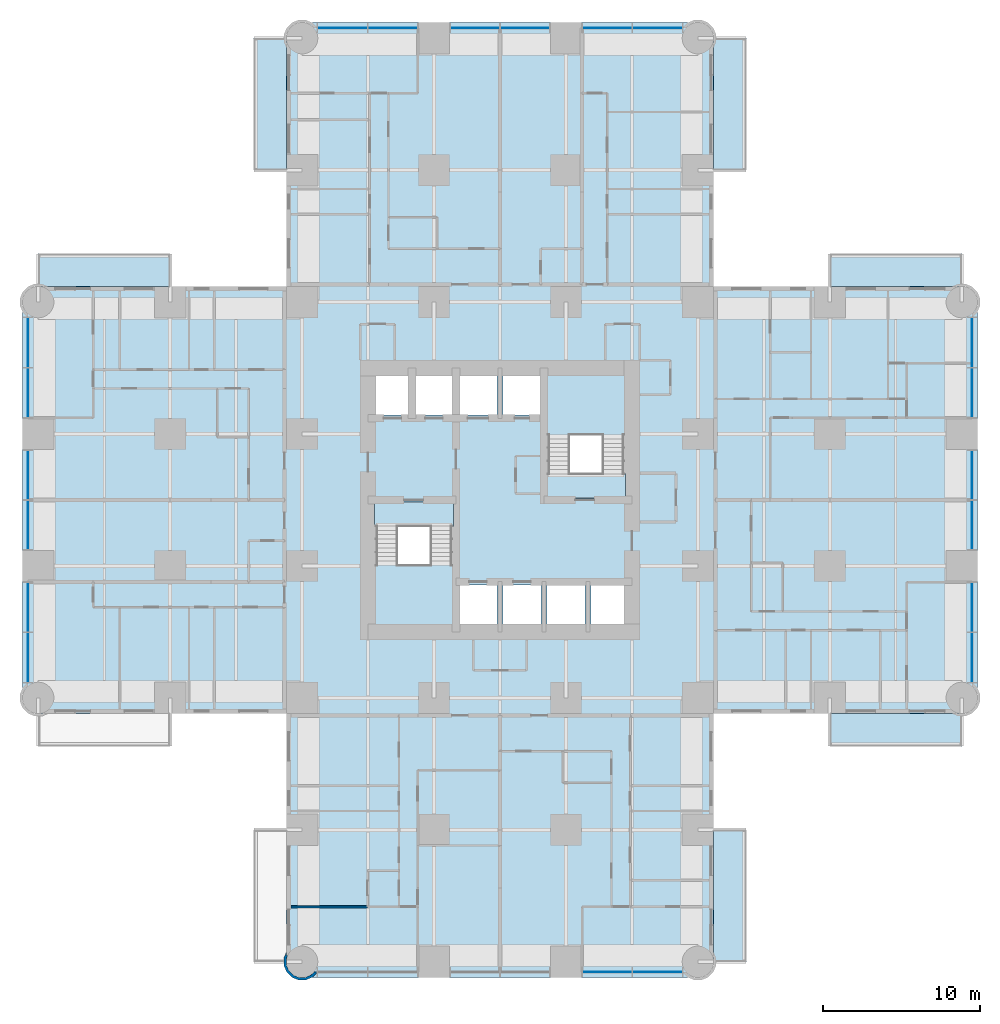
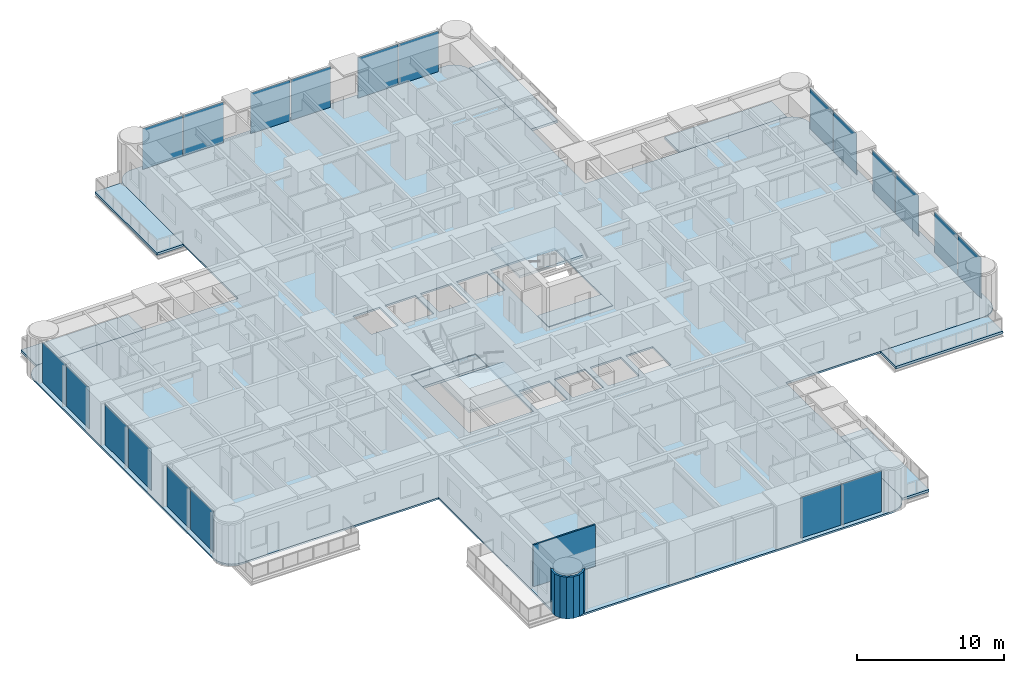
# One storey, part 6 of 17: 20 plates, 11 slabs, 2 walls, 6 elements without a shape of their own.
"""IFC4 building model written with IfcOpenShell, lengths in metres."""

from ifc_helpers import new_model, si_unit, direction, frame, frame_2d, origin, origin_2d, place, context, subcontext, project, spatial, polyline, rectangle, outline, extrude, material, layer, layer_set, type_object, element, aggregate, save


model = new_model("IFC4")

# Units and contexts
model_context = context("Model", 3, precision=1e-05, world=origin(), true_north=direction((0.0, 1.0)))
body_context = subcontext(model_context, "Body", "Model", "MODEL_VIEW")
ifc_project = project(units=[si_unit("LENGTHUNIT", "METRE"), si_unit("AREAUNIT", "SQUARE_METRE"), si_unit("VOLUMEUNIT", "CUBIC_METRE"), si_unit("PLANEANGLEUNIT", "RADIAN"), si_unit("MASSUNIT", "GRAM", prefix="KILO")], contexts=[model_context])

# Site, building, storey
site_placement = place(None, origin())
site = spatial("IfcSite", under=ifc_project, at=site_placement, CompositionType="ELEMENT")
building_placement = place(site_placement, origin())
building = spatial("IfcBuilding", under=site, at=building_placement, Name="Torre Alcanfor", CompositionType="ELEMENT")
storey_placement = place(building_placement, frame((0.0, 0.0, 95.699951171875)))
storey = spatial("IfcBuildingStorey", under=building, at=storey_placement, Name="L24", CompositionType="ELEMENT", Elevation=95.699951171875)

# Slabs
ifc_material_1 = material(Name="Concrete f'c 35 MPa", Category="concrete")
ifc_layer_1 = layer(ifc_material_1, 0.199951171875)
ifc_layer_set_1 = layer_set([ifc_layer_1], Name="Balcony slab 200")
slab_type_1 = type_object("IfcSlabType", Name="Balcony slab 200", PredefinedType="FLOOR", material=ifc_layer_set_1)
slab_1_placement = place(storey_placement, frame((0.0, 0.0, -0.199951171875)))
element("IfcSlab", 1, at=slab_1_placement, inside=storey, type_object=slab_type_1, Name="Balcony L24-N1", PredefinedType="FLOOR", context=body_context, shape_type="SweptSolid", body=[
    extrude(outline(polyline([(15.800048828125, 50.39990234375), (15.800048828125, 58.800048828125), (13.699951171875, 58.800048828125), (13.699951171875, 50.39990234375), (15.800048828125, 50.39990234375)])), origin(), (0.0, 0.0, 1.0), 0.199951171875),
])
slab_2_placement = place(storey_placement, frame((0.0, 0.0, -0.199951171875)))
element("IfcSlab", 2, at=slab_2_placement, inside=storey, type_object=slab_type_1, Name="Balcony L24-N2", PredefinedType="FLOOR", context=body_context, shape_type="SweptSolid", body=[
    extrude(outline(polyline([(45.10009765625, 50.39990234375), (45.10009765625, 58.800048828125), (43.0, 58.800048828125), (43.0, 50.39990234375), (45.10009765625, 50.39990234375)])), origin(), (0.0, 0.0, 1.0), 0.199951171875),
])
slab_3_placement = place(storey_placement, frame((0.0, 0.0, -0.199951171875)))
element("IfcSlab", 3, at=slab_3_placement, inside=storey, type_object=slab_type_1, Name="Balcony L24-E1", PredefinedType="FLOOR", context=body_context, shape_type="SweptSolid", body=[
    extrude(outline(polyline([(50.39990234375, 43.0), (58.800048828125, 43.0), (58.800048828125, 45.10009765625), (50.39990234375, 45.10009765625), (50.39990234375, 43.0)])), origin(), (0.0, 0.0, 1.0), 0.199951171875),
])
slab_4_placement = place(storey_placement, frame((0.0, 0.0, -0.199951171875)))
element("IfcSlab", 4, at=slab_4_placement, inside=storey, type_object=slab_type_1, Name="Balcony L24-E2", PredefinedType="FLOOR", context=body_context, shape_type="SweptSolid", body=[
    extrude(outline(polyline([(50.39990234375, 13.699951171875), (58.800048828125, 13.699951171875), (58.800048828125, 15.800048828125), (50.39990234375, 15.800048828125), (50.39990234375, 13.699951171875)])), origin(), (0.0, 0.0, 1.0), 0.199951171875),
])
slab_5_placement = place(storey_placement, frame((0.0, 0.0, -0.199951171875)))
element("IfcSlab", 5, at=slab_5_placement, inside=storey, type_object=slab_type_1, Name="Balcony L24-S1", PredefinedType="FLOOR", context=body_context, shape_type="SweptSolid", body=[
    extrude(outline(polyline([(43.0, 8.39990234375), (43.0, 0.0), (45.10009765625, 0.0), (45.10009765625, 8.39990234375), (43.0, 8.39990234375)])), origin(), (0.0, 0.0, 1.0), 0.199951171875),
])
slab_6_placement = place(storey_placement, frame((0.0, 0.0, -0.199951171875)))
element("IfcSlab", 6, at=slab_6_placement, inside=storey, type_object=slab_type_1, Name="Balcony L24-W2", PredefinedType="FLOOR", context=body_context, shape_type="SweptSolid", body=[
    extrude(outline(polyline([(8.39990234375, 45.10009765625), (0.0, 45.10009765625), (0.0, 43.0), (8.39990234375, 43.0), (8.39990234375, 45.10009765625)])), origin(), (0.0, 0.0, 1.0), 0.199951171875),
])

# Curtain wall, plates
ifc_material_2 = material(Name="Aluminium and glass", Category="aluminium")
curtain_wall_type = type_object("IfcCurtainWallType", Name="CW-A unitised apartment glazing with vertical FIN", PredefinedType="NOTDEFINED", material=ifc_material_2)
curtain_wall_1_placement = place(storey_placement, origin())
curtain_wall_1 = element("IfcCurtainWall", 7, at=curtain_wall_1_placement, inside=storey, type_object=curtain_wall_type, Name="Curtain wall CW-A L24 2", PredefinedType="NOTDEFINED")
ifc_material_3 = material(Name="Glass", Category="glass")
ifc_layer_2 = layer(ifc_material_3, 0.028076171875)
ifc_layer_set_2 = layer_set([ifc_layer_2], Name="CW-A clear double glazed unit")
plate_type = type_object("IfcPlateType", Name="CW-A clear double glazed unit", PredefinedType="CURTAIN_PANEL", material=ifc_layer_set_2)
plate_1_placement = place(storey_placement, frame((-0.64990234375, 39.428466796875, 0.0), z_axis=(0.0, 0.0, 1.0), x_axis=(0.0, -1.0, 0.0)))
plate_1 = element("IfcPlate", 8, at=plate_1_placement, type_object=plate_type, Name="CW-A panel 1.1.1", PredefinedType="CURTAIN_PANEL", context=body_context, shape_type="SweptSolid", body=[
    extrude(rectangle(XDim=3.12890625, YDim=0.028076171875, at=origin_2d()), origin(), (0.0, 0.0, 1.0), 3.385009765625),
])
plate_2_placement = place(storey_placement, frame((-0.64990234375, 36.234619140625, 0.0), z_axis=(0.0, 0.0, 1.0), x_axis=(0.0, -1.0, 0.0)))
plate_2 = element("IfcPlate", 9, at=plate_2_placement, type_object=plate_type, Name="CW-A panel 1.2.1", PredefinedType="CURTAIN_PANEL", context=body_context, shape_type="SweptSolid", body=[
    extrude(rectangle(XDim=3.12890625, YDim=0.028076171875, at=origin_2d()), origin(), (0.0, 0.0, 1.0), 3.385009765625),
])
plate_3_placement = place(storey_placement, frame((-0.64990234375, 30.981201171875, 0.0), z_axis=(0.0, 0.0, 1.0), x_axis=(0.0, -1.0, 0.0)))
plate_3 = element("IfcPlate", 10, at=plate_3_placement, type_object=plate_type, Name="CW-A panel 2.1.1", PredefinedType="CURTAIN_PANEL", context=body_context, shape_type="SweptSolid", body=[
    extrude(rectangle(XDim=3.097412109375, YDim=0.028076171875, at=origin_2d()), origin(), (0.0, 0.0, 1.0), 3.385009765625),
])
plate_4_placement = place(storey_placement, frame((-0.64990234375, 27.81884765625, 0.0), z_axis=(0.0, 0.0, 1.0), x_axis=(0.0, -1.0, 0.0)))
plate_4 = element("IfcPlate", 11, at=plate_4_placement, type_object=plate_type, Name="CW-A panel 2.2.1", PredefinedType="CURTAIN_PANEL", context=body_context, shape_type="SweptSolid", body=[
    extrude(rectangle(XDim=3.097412109375, YDim=0.028076171875, at=origin_2d()), origin(), (0.0, 0.0, 1.0), 3.385009765625),
])
plate_5_placement = place(storey_placement, frame((-0.64990234375, 22.5654296875, 0.0), z_axis=(0.0, 0.0, 1.0), x_axis=(0.0, -1.0, 0.0)))
plate_5 = element("IfcPlate", 12, at=plate_5_placement, type_object=plate_type, Name="CW-A panel 3.1.1", PredefinedType="CURTAIN_PANEL", context=body_context, shape_type="SweptSolid", body=[
    extrude(rectangle(XDim=3.12890625, YDim=0.028076171875, at=origin_2d()), origin(), (0.0, 0.0, 1.0), 3.385009765625),
])
plate_6_placement = place(storey_placement, frame((-0.64990234375, 19.37158203125, 0.0), z_axis=(0.0, 0.0, 1.0), x_axis=(0.0, -1.0, 0.0)))
plate_6 = element("IfcPlate", 13, at=plate_6_placement, type_object=plate_type, Name="CW-A panel 3.2.1", PredefinedType="CURTAIN_PANEL", context=body_context, shape_type="SweptSolid", body=[
    extrude(rectangle(XDim=3.12890625, YDim=0.028076171875, at=origin_2d()), origin(), (0.0, 0.0, 1.0), 3.385009765625),
])
aggregate(curtain_wall_1, [plate_1, plate_2, plate_3, plate_4, plate_5, plate_6])

curtain_wall_2_placement = place(storey_placement, origin())
curtain_wall_2 = element("IfcCurtainWall", 14, at=curtain_wall_2_placement, inside=storey, type_object=curtain_wall_type, Name="Curtain wall CW-A L24 5", PredefinedType="NOTDEFINED")
plate_7_placement = place(storey_placement, frame((36.234619140625, -0.64990234375, 0.0), z_axis=(0.0, 0.0, 1.0), x_axis=(1.0, 0.0, 0.0)))
plate_7 = element("IfcPlate", 15, at=plate_7_placement, type_object=plate_type, Name="CW-A panel 3.1.1", PredefinedType="CURTAIN_PANEL", context=body_context, shape_type="SweptSolid", body=[
    extrude(rectangle(XDim=3.12890625, YDim=0.028076171875, at=origin_2d()), origin(), (0.0, 0.0, 1.0), 3.385009765625),
])
plate_8_placement = place(storey_placement, frame((39.428466796875, -0.64990234375, 0.0), z_axis=(0.0, 0.0, 1.0), x_axis=(1.0, 0.0, 0.0)))
plate_8 = element("IfcPlate", 16, at=plate_8_placement, type_object=plate_type, Name="CW-A panel 3.2.1", PredefinedType="CURTAIN_PANEL", context=body_context, shape_type="SweptSolid", body=[
    extrude(rectangle(XDim=3.12890625, YDim=0.028076171875, at=origin_2d()), origin(), (0.0, 0.0, 1.0), 3.385009765625),
])
aggregate(curtain_wall_2, [plate_7, plate_8])

curtain_wall_3_placement = place(storey_placement, origin())
curtain_wall_3 = element("IfcCurtainWall", 17, at=curtain_wall_3_placement, inside=storey, type_object=curtain_wall_type, Name="Curtain wall CW-A L24 8", PredefinedType="NOTDEFINED")
plate_9_placement = place(storey_placement, frame((59.449951171875, 19.37158203125, 0.0), z_axis=(0.0, 0.0, 1.0), x_axis=(0.0, 1.0, 0.0)))
plate_9 = element("IfcPlate", 18, at=plate_9_placement, type_object=plate_type, Name="CW-A panel 1.1.1", PredefinedType="CURTAIN_PANEL", context=body_context, shape_type="SweptSolid", body=[
    extrude(rectangle(XDim=3.12890625, YDim=0.028076171875, at=origin_2d()), origin(), (0.0, 0.0, 1.0), 3.385009765625),
])
plate_10_placement = place(storey_placement, frame((59.449951171875, 22.5654296875, 0.0), z_axis=(0.0, 0.0, 1.0), x_axis=(0.0, 1.0, 0.0)))
plate_10 = element("IfcPlate", 19, at=plate_10_placement, type_object=plate_type, Name="CW-A panel 1.2.1", PredefinedType="CURTAIN_PANEL", context=body_context, shape_type="SweptSolid", body=[
    extrude(rectangle(XDim=3.12890625, YDim=0.028076171875, at=origin_2d()), origin(), (0.0, 0.0, 1.0), 3.385009765625),
])
plate_11_placement = place(storey_placement, frame((59.449951171875, 27.81884765625, 0.0), z_axis=(0.0, 0.0, 1.0), x_axis=(0.0, 1.0, 0.0)))
plate_11 = element("IfcPlate", 20, at=plate_11_placement, type_object=plate_type, Name="CW-A panel 2.1.1", PredefinedType="CURTAIN_PANEL", context=body_context, shape_type="SweptSolid", body=[
    extrude(rectangle(XDim=3.097412109375, YDim=0.028076171875, at=origin_2d()), origin(), (0.0, 0.0, 1.0), 3.385009765625),
])
plate_12_placement = place(storey_placement, frame((59.449951171875, 30.981201171875, 0.0), z_axis=(0.0, 0.0, 1.0), x_axis=(0.0, 1.0, 0.0)))
plate_12 = element("IfcPlate", 21, at=plate_12_placement, type_object=plate_type, Name="CW-A panel 2.2.1", PredefinedType="CURTAIN_PANEL", context=body_context, shape_type="SweptSolid", body=[
    extrude(rectangle(XDim=3.097412109375, YDim=0.028076171875, at=origin_2d()), origin(), (0.0, 0.0, 1.0), 3.385009765625),
])
plate_13_placement = place(storey_placement, frame((59.449951171875, 36.234619140625, 0.0), z_axis=(0.0, 0.0, 1.0), x_axis=(0.0, 1.0, 0.0)))
plate_13 = element("IfcPlate", 22, at=plate_13_placement, type_object=plate_type, Name="CW-A panel 3.1.1", PredefinedType="CURTAIN_PANEL", context=body_context, shape_type="SweptSolid", body=[
    extrude(rectangle(XDim=3.12890625, YDim=0.028076171875, at=origin_2d()), origin(), (0.0, 0.0, 1.0), 3.385009765625),
])
plate_14_placement = place(storey_placement, frame((59.449951171875, 39.428466796875, 0.0), z_axis=(0.0, 0.0, 1.0), x_axis=(0.0, 1.0, 0.0)))
plate_14 = element("IfcPlate", 23, at=plate_14_placement, type_object=plate_type, Name="CW-A panel 3.2.1", PredefinedType="CURTAIN_PANEL", context=body_context, shape_type="SweptSolid", body=[
    extrude(rectangle(XDim=3.12890625, YDim=0.028076171875, at=origin_2d()), origin(), (0.0, 0.0, 1.0), 3.385009765625),
])
aggregate(curtain_wall_3, [plate_9, plate_10, plate_11, plate_12, plate_13, plate_14])

curtain_wall_4_placement = place(storey_placement, origin())
curtain_wall_4 = element("IfcCurtainWall", 24, at=curtain_wall_4_placement, inside=storey, type_object=curtain_wall_type, Name="Curtain wall CW-A L24 11", PredefinedType="NOTDEFINED")
plate_15_placement = place(storey_placement, frame((39.428466796875, 59.449951171875, 0.0), z_axis=(0.0, 0.0, 1.0), x_axis=(-1.0, 0.0, 0.0)))
plate_15 = element("IfcPlate", 25, at=plate_15_placement, type_object=plate_type, Name="CW-A panel 1.1.1", PredefinedType="CURTAIN_PANEL", context=body_context, shape_type="SweptSolid", body=[
    extrude(rectangle(XDim=3.12890625, YDim=0.028076171875, at=origin_2d()), origin(), (0.0, 0.0, 1.0), 3.385009765625),
])
plate_16_placement = place(storey_placement, frame((36.234619140625, 59.449951171875, 0.0), z_axis=(0.0, 0.0, 1.0), x_axis=(-1.0, 0.0, 0.0)))
plate_16 = element("IfcPlate", 26, at=plate_16_placement, type_object=plate_type, Name="CW-A panel 1.2.1", PredefinedType="CURTAIN_PANEL", context=body_context, shape_type="SweptSolid", body=[
    extrude(rectangle(XDim=3.12890625, YDim=0.028076171875, at=origin_2d()), origin(), (0.0, 0.0, 1.0), 3.385009765625),
])
plate_17_placement = place(storey_placement, frame((30.981201171875, 59.449951171875, 0.0), z_axis=(0.0, 0.0, 1.0), x_axis=(-1.0, 0.0, 0.0)))
plate_17 = element("IfcPlate", 27, at=plate_17_placement, type_object=plate_type, Name="CW-A panel 2.1.1", PredefinedType="CURTAIN_PANEL", context=body_context, shape_type="SweptSolid", body=[
    extrude(rectangle(XDim=3.097412109375, YDim=0.028076171875, at=origin_2d()), origin(), (0.0, 0.0, 1.0), 3.385009765625),
])
plate_18_placement = place(storey_placement, frame((27.81884765625, 59.449951171875, 0.0), z_axis=(0.0, 0.0, 1.0), x_axis=(-1.0, 0.0, 0.0)))
plate_18 = element("IfcPlate", 28, at=plate_18_placement, type_object=plate_type, Name="CW-A panel 2.2.1", PredefinedType="CURTAIN_PANEL", context=body_context, shape_type="SweptSolid", body=[
    extrude(rectangle(XDim=3.097412109375, YDim=0.028076171875, at=origin_2d()), origin(), (0.0, 0.0, 1.0), 3.385009765625),
])
plate_19_placement = place(storey_placement, frame((22.5654296875, 59.449951171875, 0.0), z_axis=(0.0, 0.0, 1.0), x_axis=(-1.0, 0.0, 0.0)))
plate_19 = element("IfcPlate", 29, at=plate_19_placement, type_object=plate_type, Name="CW-A panel 3.1.1", PredefinedType="CURTAIN_PANEL", context=body_context, shape_type="SweptSolid", body=[
    extrude(rectangle(XDim=3.12890625, YDim=0.028076171875, at=origin_2d()), origin(), (0.0, 0.0, 1.0), 3.385009765625),
])
plate_20_placement = place(storey_placement, frame((19.37158203125, 59.449951171875, 0.0), z_axis=(0.0, 0.0, 1.0), x_axis=(-1.0, 0.0, 0.0)))
plate_20 = element("IfcPlate", 30, at=plate_20_placement, type_object=plate_type, Name="CW-A panel 3.2.1", PredefinedType="CURTAIN_PANEL", context=body_context, shape_type="SweptSolid", body=[
    extrude(rectangle(XDim=3.12890625, YDim=0.028076171875, at=origin_2d()), origin(), (0.0, 0.0, 1.0), 3.385009765625),
])
aggregate(curtain_wall_4, [plate_15, plate_16, plate_17, plate_18, plate_19, plate_20])

# Slab
ifc_material_4 = material(Name="Concrete f'c 35 MPa", Category="concrete")
ifc_layer_3 = layer(ifc_material_4, 0.14990234375)
ifc_layer_set_3 = layer_set([ifc_layer_3], Name="Composite floor 150 on metal deck")
slab_type_2 = type_object("IfcSlabType", Name="Composite floor 150 on metal deck", PredefinedType="FLOOR", material=ifc_layer_set_3)
slab_7_placement = place(storey_placement, frame((0.0, 0.0, -0.14990234375)))
element("IfcSlab", 31, at=slab_7_placement, inside=storey, type_object=slab_type_2, Name="Floor slab L24", PredefinedType="FLOOR", context=body_context, shape_type="SweptSolid", body=[
    extrude(outline(polyline([(15.800048828125, 43.0), (0.39990234375, 43.0), (0.03759765625, 42.952392578125), (-0.300048828125, 42.8125), (-0.58984375, 42.58984375), (-0.8125, 42.300048828125), (-0.952392578125, 41.96240234375), (-1.0, 41.60009765625), (-1.0, 17.199951171875), (-0.952392578125, 16.837646484375), (-0.8125, 16.5), (-0.58984375, 16.210205078125), (-0.300048828125, 15.987548828125), (0.03759765625, 15.84765625), (0.39990234375, 15.800048828125), (15.800048828125, 15.800048828125), (15.800048828125, 0.39990234375), (15.84765625, 0.03759765625), (15.987548828125, -0.300048828125), (16.210205078125, -0.58984375), (16.5, -0.8125), (16.837646484375, -0.952392578125), (17.199951171875, -1.0), (41.60009765625, -1.0), (41.96240234375, -0.952392578125), (42.300048828125, -0.8125), (42.58984375, -0.58984375), (42.8125, -0.300048828125), (42.952392578125, 0.03759765625), (43.0, 0.39990234375), (43.0, 15.800048828125), (58.39990234375, 15.800048828125), (58.76220703125, 15.84765625), (59.10009765625, 15.987548828125), (59.389892578125, 16.210205078125), (59.6123046875, 16.5), (59.752197265625, 16.837646484375), (59.800048828125, 17.199951171875), (59.800048828125, 41.60009765625), (59.752197265625, 41.96240234375), (59.6123046875, 42.300048828125), (59.389892578125, 42.58984375), (59.10009765625, 42.8125), (58.76220703125, 42.952392578125), (58.39990234375, 43.0), (43.0, 43.0), (43.0, 58.39990234375), (42.952392578125, 58.76220703125), (42.8125, 59.10009765625), (42.58984375, 59.389892578125), (42.300048828125, 59.6123046875), (41.96240234375, 59.752197265625), (41.60009765625, 59.800048828125), (17.199951171875, 59.800048828125), (16.837646484375, 59.752197265625), (16.5, 59.6123046875), (16.210205078125, 59.389892578125), (15.987548828125, 59.10009765625), (15.84765625, 58.76220703125), (15.800048828125, 58.39990234375), (15.800048828125, 43.0)]), holes=[polyline([(21.419921875, 21.419921875), (26.47998046875, 21.419921875), (26.47998046875, 29.280029296875), (21.419921875, 29.280029296875), (21.419921875, 21.419921875)]), polyline([(32.320068359375, 29.52001953125), (37.3798828125, 29.52001953125), (37.3798828125, 37.3798828125), (32.320068359375, 37.3798828125), (32.320068359375, 29.52001953125)]), polyline([(26.800048828125, 21.5), (29.199951171875, 21.5), (29.199951171875, 24.0), (26.800048828125, 24.0), (26.800048828125, 21.5)]), polyline([(29.60009765625, 21.5), (32.0, 21.5), (32.0, 24.0), (29.60009765625, 24.0), (29.60009765625, 21.5)]), polyline([(32.39990234375, 21.5), (34.800048828125, 21.5), (34.800048828125, 24.0), (32.39990234375, 24.0), (32.39990234375, 21.5)]), polyline([(35.199951171875, 21.5), (37.300048828125, 21.5), (37.300048828125, 24.0), (35.199951171875, 24.0), (35.199951171875, 21.5)]), polyline([(21.5, 34.800048828125), (23.60009765625, 34.800048828125), (23.60009765625, 37.300048828125), (21.5, 37.300048828125), (21.5, 34.800048828125)]), polyline([(24.0, 34.800048828125), (26.39990234375, 34.800048828125), (26.39990234375, 37.300048828125), (24.0, 37.300048828125), (24.0, 34.800048828125)]), polyline([(26.800048828125, 34.800048828125), (29.199951171875, 34.800048828125), (29.199951171875, 37.300048828125), (26.800048828125, 37.300048828125), (26.800048828125, 34.800048828125)]), polyline([(29.60009765625, 34.800048828125), (32.0, 34.800048828125), (32.0, 37.300048828125), (29.60009765625, 37.300048828125), (29.60009765625, 34.800048828125)])]), origin(), (0.0, 0.0, 1.0), 0.14990234375),
])

# Stair, slabs
ifc_material_5 = material(Name="Concrete f'c 35 MPa", Category="concrete")
stair_type_1 = type_object("IfcStairType", Name="Exit stair S1 1400 wide", PredefinedType="HALF_TURN_STAIR", material=ifc_material_5)
stair_1_placement = place(storey_placement, origin())
stair_1 = element("IfcStair", 32, at=stair_1_placement, inside=storey, type_object=stair_type_1, Name="Stair S1 L24 to L25", PredefinedType="HALF_TURN_STAIR")
ifc_material_6 = material(Name="Concrete f'c 35 MPa", Category="concrete")
ifc_layer_4 = layer(ifc_material_6, 0.199951171875)
ifc_layer_set_4 = layer_set([ifc_layer_4], Name="Stair landing 200")
slab_type_3 = type_object("IfcSlabType", Name="Stair landing 200", PredefinedType="LANDING", material=ifc_layer_set_4)
slab_8_placement = place(storey_placement, frame((0.0, 0.0, -0.199951171875)))
slab_8 = element("IfcSlab", 33, at=slab_8_placement, type_object=slab_type_3, Name="S1 landing 1", PredefinedType="LANDING", context=body_context, shape_type="SweptSolid", body=[
    extrude(outline(polyline([(21.419921875, 27.699951171875), (26.429931640625, 27.699951171875), (26.429931640625, 29.22998046875), (21.419921875, 29.22998046875), (21.419921875, 27.699951171875)])), origin(), (0.0, 0.0, 1.0), 0.199951171875),
])
slab_9_placement = place(storey_placement, frame((0.0, 0.0, 1.60009765625)))
slab_9 = element("IfcSlab", 34, at=slab_9_placement, type_object=slab_type_3, Name="S1 landing 2", PredefinedType="LANDING", context=body_context, shape_type="SweptSolid", body=[
    extrude(outline(polyline([(21.419921875, 21.419921875), (26.429931640625, 21.419921875), (26.429931640625, 25.280029296875), (21.419921875, 25.280029296875), (21.419921875, 21.419921875)])), origin(), (0.0, 0.0, 1.0), 0.199951171875),
])
aggregate(stair_1, [slab_8, slab_9])

ifc_material_7 = material(Name="Concrete f'c 35 MPa", Category="concrete")
stair_type_2 = type_object("IfcStairType", Name="Exit stair S2 1400 wide", PredefinedType="HALF_TURN_STAIR", material=ifc_material_7)
stair_2_placement = place(storey_placement, origin())
stair_2 = element("IfcStair", 35, at=stair_2_placement, inside=storey, type_object=stair_type_2, Name="Stair S2 L24 to L25", PredefinedType="HALF_TURN_STAIR")
slab_10_placement = place(storey_placement, frame((0.0, 0.0, -0.199951171875)))
slab_10 = element("IfcSlab", 36, at=slab_10_placement, type_object=slab_type_3, Name="S2 landing 1", PredefinedType="LANDING", context=body_context, shape_type="SweptSolid", body=[
    extrude(outline(polyline([(32.3701171875, 29.570068359375), (37.3798828125, 29.570068359375), (37.3798828125, 31.10009765625), (32.3701171875, 31.10009765625), (32.3701171875, 29.570068359375)])), origin(), (0.0, 0.0, 1.0), 0.199951171875),
])
slab_11_placement = place(storey_placement, frame((0.0, 0.0, 1.60009765625)))
slab_11 = element("IfcSlab", 37, at=slab_11_placement, type_object=slab_type_3, Name="S2 landing 2", PredefinedType="LANDING", context=body_context, shape_type="SweptSolid", body=[
    extrude(outline(polyline([(32.3701171875, 33.52001953125), (37.3798828125, 33.52001953125), (37.3798828125, 37.3798828125), (32.3701171875, 37.3798828125), (32.3701171875, 33.52001953125)])), origin(), (0.0, 0.0, 1.0), 0.199951171875),
])
aggregate(stair_2, [slab_10, slab_11])

# Walls
ifc_material_8 = material(Name="Gypsum board on steel studs", Category="steel")
ifc_layer_5 = layer(ifc_material_8, 0.1201171875)
ifc_layer_set_5 = layer_set([ifc_layer_5], Name="Apartment partition 120")
wall_type_1 = type_object("IfcWallType", Name="Apartment partition 120", PredefinedType="PARTITIONING", material=ifc_layer_set_5)
wall_1_placement = place(storey_placement, frame((20.970947265625, 3.5, 0.0), z_axis=(0.0, 0.0, 1.0), x_axis=(-1.0, 0.0, 0.0)))
element("IfcWall", 38, at=wall_1_placement, inside=storey, type_object=wall_type_1, Name="Partition L24-S2-MASTER / L24-S2-WGARD", PredefinedType="PARTITIONING", context=body_context, shape_type="SweptSolid", body=[
    extrude(rectangle(XDim=4.870849609375, YDim=0.1201171875, at=frame_2d((2.435546875, 0.0))), origin(), (0.0, 0.0, 1.0), 3.449951171875),
])
ifc_material_9 = material(Name="Limestone cladding", Category="masonry")
ifc_layer_6 = layer(ifc_material_9, 0.0400390625, Name="Facing")
ifc_material_10 = material(Name="Ventilated air cavity")
ifc_layer_7 = layer(ifc_material_10, 0.02001953125, ventilated=True, Name="Ventilated joint")
ifc_material_11 = material(Name="Mineral wool insulation", Category="insulation")
ifc_layer_8 = layer(ifc_material_11, 0.10009765625, Name="Insulation")
ifc_material_12 = material(Name="Concrete f'c 35 MPa", Category="concrete")
ifc_layer_9 = layer(ifc_material_12, 0.139892578125, Name="Backing")
ifc_layer_set_6 = layer_set([ifc_layer_6, ifc_layer_7, ifc_layer_8, ifc_layer_9], Name="Rounded corner pier stone-clad 300")
wall_type_2 = type_object("IfcWallType", Name="Rounded corner pier stone-clad 300", PredefinedType="SOLIDWALL", material=ifc_layer_set_6)
wall_2_placement = place(storey_placement, frame((15.880872367, 0.56710175, 0.0), z_axis=(0.0, 0.0, 1.0), x_axis=(-0.555974394895, -0.831199417842, 0.0)))
element("IfcWall", 39, at=wall_2_placement, inside=storey, type_object=wall_type_2, Name="Corner pier L24 15", PredefinedType="SOLIDWALL", context=body_context, shape_type="SweptSolid", body=[
    extrude(outline(polyline([(0.07486662137033673, 2.0770291082740715), (0.3505403234132899, 2.022333510451921), (0.6817224156593433, 1.801217909799015), (0.903107727688907, 1.4702398212977963), (0.9810337473110966, 1.079725772200442), (0.9033565864525316, 0.6891087359502756), (0.6824439153449975, 0.35806237964047577), (0.35126289729840693, 0.13654133167465865), (0.12605218531912912, 0.0916414394041179), (0.18391186725786726, 0.0257781102557154), (0.003507501422438934, -0.09489113707370338), (0.4135848163827835, -0.013278667684390066), (0.797121657135269, 0.24326225183484668), (1.053163825506651, 0.6271781873826704), (1.1431374168338324, 1.0797710067702577), (1.0527247975025837, 1.5324260044459193), (0.796183877983347, 1.9159628451984045), (0.41247087198089516, 2.17214074950604), (0.017248254924228545, 2.2505556913468876), (-0.023134724604736867, 2.223544240032428), (0.07486662137033673, 2.0770291082740715)])), origin(), (0.0, 0.0, 1.0), 3.449951171875),
])

save(model, "model.ifc")
